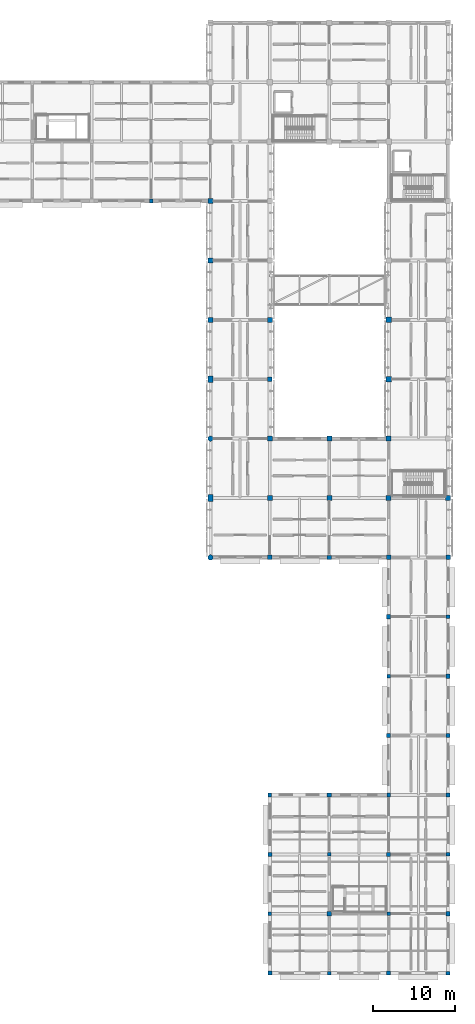
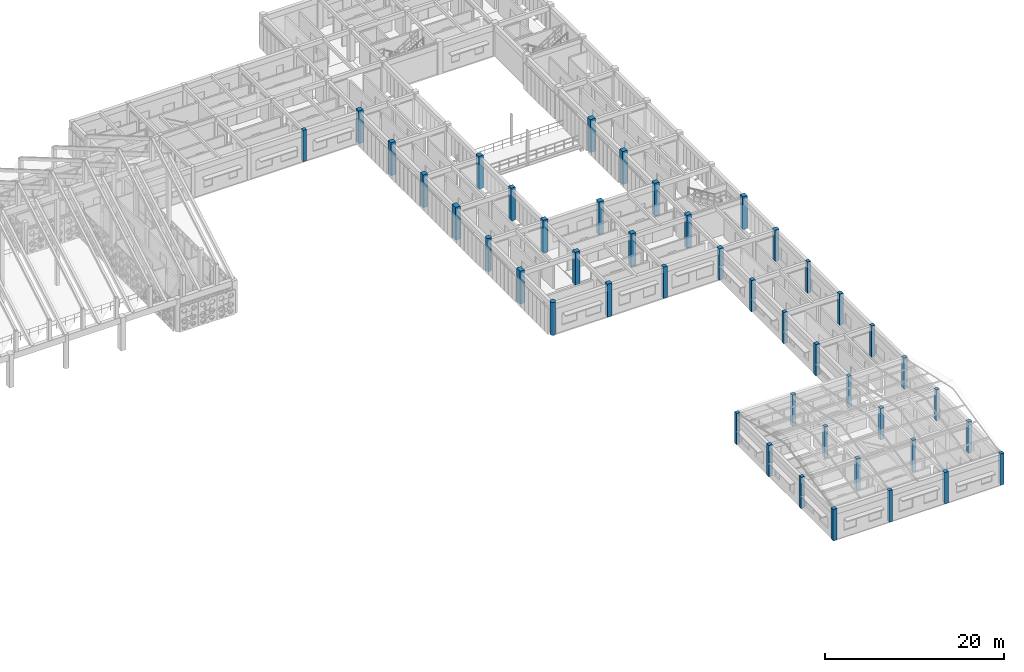
# One storey, part 4 of 171: 45 columns.
"""IFC4 building model written with IfcOpenShell, lengths in metres."""

from ifc_helpers import new_model, si_unit, direction, frame, origin, origin_2d, place, context, subcontext, project, spatial, rectangle, circle, extrude, material, material_profile, profile_set, type_object, element, save


model = new_model("IFC4")

# Units and contexts
model_context = context("Model", 3, precision=1e-05, world=origin(), true_north=direction((0.0, 1.0)))
body_context = subcontext(model_context, "Body", "Model", "MODEL_VIEW")
ifc_project = project(units=[si_unit("LENGTHUNIT", "METRE"), si_unit("AREAUNIT", "SQUARE_METRE"), si_unit("VOLUMEUNIT", "CUBIC_METRE"), si_unit("PLANEANGLEUNIT", "RADIAN"), si_unit("MASSUNIT", "GRAM", prefix="KILO")], contexts=[model_context])

# Site, building, storey
site_placement = place(None, origin())
site = spatial("IfcSite", under=ifc_project, at=site_placement, CompositionType="ELEMENT")
building_placement = place(site_placement, origin())
building = spatial("IfcBuilding", under=site, at=building_placement, Name="Aldebral Square Health Centre", CompositionType="ELEMENT")
storey_placement = place(building_placement, frame((0.0, 0.0, 4.5)))
storey = spatial("IfcBuildingStorey", under=building, at=storey_placement, Name="L01", CompositionType="ELEMENT", Elevation=4.5)

# Columns
ifc_material = material(Name="Concrete C40/50", Category="concrete")
ifc_material_profile_1 = material_profile(ifc_material, rectangle(XDim=0.64990234375, YDim=0.64990234375, at=origin_2d()), Name="RC 650x650")
ifc_profile_set_1 = profile_set([ifc_material_profile_1], Name="Concrete C40/50")
column_type_1 = type_object("IfcColumnType", Name="COL-C2", PredefinedType="COLUMN", material=ifc_profile_set_1)
for number, where, z_axis, x_axis, name in (
    (1, (158.39990234375, 72.0, 0.0), (0.0, 0.0, 1.0), (1.0, 0.0, 0.0), "L01 column 23/11"),
    (2, (158.39990234375, 79.199951171875, 0.0), (0.0, 0.0, 1.0), (1.0, 0.0, 0.0), "L01 column 23/12"),
):
    element("IfcColumn", number, at=place(storey_placement, frame(where, z_axis=z_axis, x_axis=x_axis)), inside=storey, type_object=column_type_1, Name=name, PredefinedType="COLUMN", context=body_context, shape_type="SweptSolid", body=[
        extrude(rectangle(XDim=0.64990234375, YDim=0.64990234375, at=origin_2d()), origin(), (0.0, 0.0, 1.0), 4.5),
    ])
ifc_material_profile_2 = material_profile(ifc_material, rectangle(XDim=0.60009765625, YDim=0.60009765625, at=origin_2d()), Name="RC 600x600")
ifc_profile_set_2 = profile_set([ifc_material_profile_2], Name="Concrete C40/50")
column_type_2 = type_object("IfcColumnType", Name="COL-C3", PredefinedType="COLUMN", material=ifc_profile_set_2)
for number, where, z_axis, x_axis, name in (
    (3, (136.800048828125, 79.199951171875, 0.0), (0.0, 0.0, 1.0), (1.0, 0.0, 0.0), "L01 column 20/12"),
    (4, (136.800048828125, 86.39990234375, 0.0), (0.0, 0.0, 1.0), (1.0, 0.0, 0.0), "L01 column 20/13"),
    (5, (136.800048828125, 93.60009765625, 0.0), (0.0, 0.0, 1.0), (1.0, 0.0, 0.0), "L01 column 20/14"),
    (6, (144.0, 57.60009765625, 0.0), (0.0, 0.0, 1.0), (1.0, 0.0, 0.0), "L01 column 21/9"),
    (7, (144.0, 64.800048828125, 0.0), (0.0, 0.0, 1.0), (1.0, 0.0, 0.0), "L01 column 21/10"),
    (8, (144.0, 79.199951171875, 0.0), (0.0, 0.0, 1.0), (1.0, 0.0, 0.0), "L01 column 21/12"),
    (9, (151.199951171875, 57.60009765625, 0.0), (0.0, 0.0, 1.0), (1.0, 0.0, 0.0), "L01 column 22/9"),
    (10, (151.199951171875, 64.800048828125, 0.0), (0.0, 0.0, 1.0), (1.0, 0.0, 0.0), "L01 column 22/10"),
    (11, (158.39990234375, 57.60009765625, 0.0), (0.0, 0.0, 1.0), (1.0, 0.0, 0.0), "L01 column 23/9"),
    (12, (158.39990234375, 64.800048828125, 0.0), (0.0, 0.0, 1.0), (1.0, 0.0, 0.0), "L01 column 23/10"),
    (13, (165.60009765625, 57.60009765625, 0.0), (0.0, 0.0, 1.0), (1.0, 0.0, 0.0), "L01 column 24/9"),
):
    element("IfcColumn", number, at=place(storey_placement, frame(where, z_axis=z_axis, x_axis=x_axis)), inside=storey, type_object=column_type_2, Name=name, PredefinedType="COLUMN", context=body_context, shape_type="SweptSolid", body=[
        extrude(rectangle(XDim=0.60009765625, YDim=0.60009765625, at=origin_2d()), origin(), (0.0, 0.0, 1.0), 4.5),
    ])
ifc_material_profile_3 = material_profile(ifc_material, rectangle(XDim=0.550048828125, YDim=0.550048828125, at=origin_2d()), Name="RC 550x550")
ifc_profile_set_3 = profile_set([ifc_material_profile_3], Name="Concrete C40/50")
column_type_3 = type_object("IfcColumnType", Name="COL-C4", PredefinedType="COLUMN", material=ifc_profile_set_3)
for number, where, z_axis, x_axis, name in (
    (14, (144.0, 50.39990234375, 0.0), (0.0, 0.0, 1.0), (1.0, 0.0, 0.0), "L01 column 21/8"),
    (15, (144.0, 72.0, 0.0), (0.0, 0.0, 1.0), (1.0, 0.0, 0.0), "L01 column 21/11"),
):
    element("IfcColumn", number, at=place(storey_placement, frame(where, z_axis=z_axis, x_axis=x_axis)), inside=storey, type_object=column_type_3, Name=name, PredefinedType="COLUMN", context=body_context, shape_type="SweptSolid", body=[
        extrude(rectangle(XDim=0.550048828125, YDim=0.550048828125, at=origin_2d()), origin(), (0.0, 0.0, 1.0), 4.5),
    ])
for number, where, z_axis, x_axis, name in (
    (16, (158.39990234375, 50.39990234375, 0.0), (0.0, 0.0, 1.0), (1.0, 0.0, 0.0), "L01 column 23/8"),
    (17, (165.60009765625, 50.39990234375, 0.0), (0.0, 0.0, 1.0), (1.0, 0.0, 0.0), "L01 column 24/8"),
):
    element("IfcColumn", number, at=place(storey_placement, frame(where, z_axis=z_axis, x_axis=x_axis)), inside=storey, type_object=column_type_3, Name=name, PredefinedType="COLUMN", context=body_context, shape_type="SweptSolid", body=[
        extrude(rectangle(XDim=0.550048828125, YDim=0.550048828125, at=origin_2d()), origin(), (0.0, 0.0, 1.0), 4.280029296875),
    ])
ifc_material_profile_4 = material_profile(ifc_material, rectangle(XDim=0.5, YDim=0.5, at=origin_2d()), Name="RC 500x500")
ifc_profile_set_4 = profile_set([ifc_material_profile_4], Name="Concrete C40/50")
column_type_4 = type_object("IfcColumnType", Name="COL-C5", PredefinedType="COLUMN", material=ifc_profile_set_4)
for number, where, z_axis, x_axis, name in (
    (18, (144.0, 0.0, 0.0), (0.0, 0.0, 1.0), (1.0, 0.0, 0.0), "L01 column 21/1"),
    (19, (144.0, 14.39990234375, 0.0), (0.0, 0.0, 1.0), (1.0, 0.0, 0.0), "L01 column 21/3"),
    (20, (151.199951171875, 7.199951171875, 0.0), (0.0, 0.0, 1.0), (1.0, 0.0, 0.0), "L01 column 22/2"),
    (21, (151.199951171875, 21.60009765625, 0.0), (0.0, 0.0, 1.0), (1.0, 0.0, 0.0), "L01 column 22/4"),
    (22, (151.199951171875, 50.39990234375, 0.0), (0.0, 0.0, 1.0), (1.0, 0.0, 0.0), "L01 column 22/8"),
    (23, (158.39990234375, 0.0, 0.0), (0.0, 0.0, 1.0), (1.0, 0.0, 0.0), "L01 column 23/1"),
    (24, (158.39990234375, 14.39990234375, 0.0), (0.0, 0.0, 1.0), (1.0, 0.0, 0.0), "L01 column 23/3"),
    (25, (158.39990234375, 28.800048828125, 0.0), (0.0, 0.0, 1.0), (1.0, 0.0, 0.0), "L01 column 23/5"),
    (26, (158.39990234375, 43.199951171875, 0.0), (0.0, 0.0, 1.0), (1.0, 0.0, 0.0), "L01 column 23/7"),
    (27, (165.60009765625, 7.199951171875, 0.0), (0.0, 0.0, 1.0), (1.0, 0.0, 0.0), "L01 column 24/2"),
    (28, (165.60009765625, 21.60009765625, 0.0), (0.0, 0.0, 1.0), (1.0, 0.0, 0.0), "L01 column 24/4"),
    (29, (165.60009765625, 36.0, 0.0), (0.0, 0.0, 1.0), (1.0, 0.0, 0.0), "L01 column 24/6"),
):
    element("IfcColumn", number, at=place(storey_placement, frame(where, z_axis=z_axis, x_axis=x_axis)), inside=storey, type_object=column_type_4, Name=name, PredefinedType="COLUMN", context=body_context, shape_type="SweptSolid", body=[
        extrude(rectangle(XDim=0.5, YDim=0.5, at=origin_2d()), origin(), (0.0, 0.0, 1.0), 4.280029296875),
    ])
ifc_material_profile_5 = material_profile(ifc_material, rectangle(XDim=0.449951171875, YDim=0.449951171875, at=origin_2d()), Name="RC 450x450")
ifc_profile_set_5 = profile_set([ifc_material_profile_5], Name="Concrete C40/50")
column_type_5 = type_object("IfcColumnType", Name="COL-C6", PredefinedType="COLUMN", material=ifc_profile_set_5)
for number, where, z_axis, x_axis, name in (
    (30, (129.60009765625, 93.60009765625, 0.0), (0.0, 0.0, 1.0), (1.0, 0.0, 0.0), "L01 column 19/14"),
    (31, (144.0, 7.199951171875, 0.0), (0.0, 0.0, 1.0), (1.0, 0.0, 0.0), "L01 column 21/2"),
    (32, (144.0, 21.60009765625, 0.0), (0.0, 0.0, 1.0), (1.0, 0.0, 0.0), "L01 column 21/4"),
    (33, (151.199951171875, 0.0, 0.0), (0.0, 0.0, 1.0), (1.0, 0.0, 0.0), "L01 column 22/1"),
    (34, (151.199951171875, 14.39990234375, 0.0), (0.0, 0.0, 1.0), (1.0, 0.0, 0.0), "L01 column 22/3"),
    (35, (158.39990234375, 7.199951171875, 0.0), (0.0, 0.0, 1.0), (1.0, 0.0, 0.0), "L01 column 23/2"),
    (36, (158.39990234375, 21.60009765625, 0.0), (0.0, 0.0, 1.0), (1.0, 0.0, 0.0), "L01 column 23/4"),
    (37, (158.39990234375, 36.0, 0.0), (0.0, 0.0, 1.0), (1.0, 0.0, 0.0), "L01 column 23/6"),
    (38, (165.60009765625, 0.0, 0.0), (0.0, 0.0, 1.0), (1.0, 0.0, 0.0), "L01 column 24/1"),
    (39, (165.60009765625, 14.39990234375, 0.0), (0.0, 0.0, 1.0), (1.0, 0.0, 0.0), "L01 column 24/3"),
    (40, (165.60009765625, 28.800048828125, 0.0), (0.0, 0.0, 1.0), (1.0, 0.0, 0.0), "L01 column 24/5"),
    (41, (165.60009765625, 43.199951171875, 0.0), (0.0, 0.0, 1.0), (1.0, 0.0, 0.0), "L01 column 24/7"),
):
    element("IfcColumn", number, at=place(storey_placement, frame(where, z_axis=z_axis, x_axis=x_axis)), inside=storey, type_object=column_type_5, Name=name, PredefinedType="COLUMN", context=body_context, shape_type="SweptSolid", body=[
        extrude(rectangle(XDim=0.449951171875, YDim=0.449951171875, at=origin_2d()), origin(), (0.0, 0.0, 1.0), 4.280029296875),
    ])
ifc_material_profile_6 = material_profile(ifc_material, rectangle(XDim=0.60009765625, YDim=0.800048828125, at=origin_2d()), Name="RC 600x800")
ifc_profile_set_6 = profile_set([ifc_material_profile_6], Name="Concrete C40/50")
column_type_6 = type_object("IfcColumnType", Name="COL-C7", PredefinedType="PILASTER", material=ifc_profile_set_6)
for number, where, z_axis, x_axis, name in (
    (42, (136.800048828125, 57.60009765625, 0.0), (0.0, 0.0, 1.0), (1.0, 0.0, 0.0), "L01 column 20/9"),
    (43, (136.800048828125, 72.0, 0.0), (0.0, 0.0, 1.0), (1.0, 0.0, 0.0), "L01 column 20/11"),
):
    element("IfcColumn", number, at=place(storey_placement, frame(where, z_axis=z_axis, x_axis=x_axis)), inside=storey, type_object=column_type_6, Name=name, PredefinedType="PILASTER", context=body_context, shape_type="SweptSolid", body=[
        extrude(rectangle(XDim=0.60009765625, YDim=0.800048828125, at=origin_2d()), origin(), (0.0, 0.0, 1.0), 4.5),
    ])
ifc_material_profile_7 = material_profile(ifc_material, circle(Radius=0.324951171875, at=origin_2d()), Name="RC D650")
ifc_profile_set_7 = profile_set([ifc_material_profile_7], Name="Concrete C40/50")
column_type_7 = type_object("IfcColumnType", Name="COL-C8", PredefinedType="COLUMN", material=ifc_profile_set_7)
for number, where, z_axis, x_axis, name in (
    (44, (136.800048828125, 50.39990234375, 0.0), (0.0, 0.0, 1.0), (1.0, 0.0, 0.0), "L01 column 20/8"),
    (45, (136.800048828125, 64.800048828125, 0.0), (0.0, 0.0, 1.0), (1.0, 0.0, 0.0), "L01 column 20/10"),
):
    element("IfcColumn", number, at=place(storey_placement, frame(where, z_axis=z_axis, x_axis=x_axis)), inside=storey, type_object=column_type_7, Name=name, PredefinedType="COLUMN", context=body_context, shape_type="SweptSolid", body=[
        extrude(circle(Radius=0.324951171875, at=origin_2d()), origin(), (0.0, 0.0, 1.0), 4.5),
    ])

save(model, "model.ifc")
